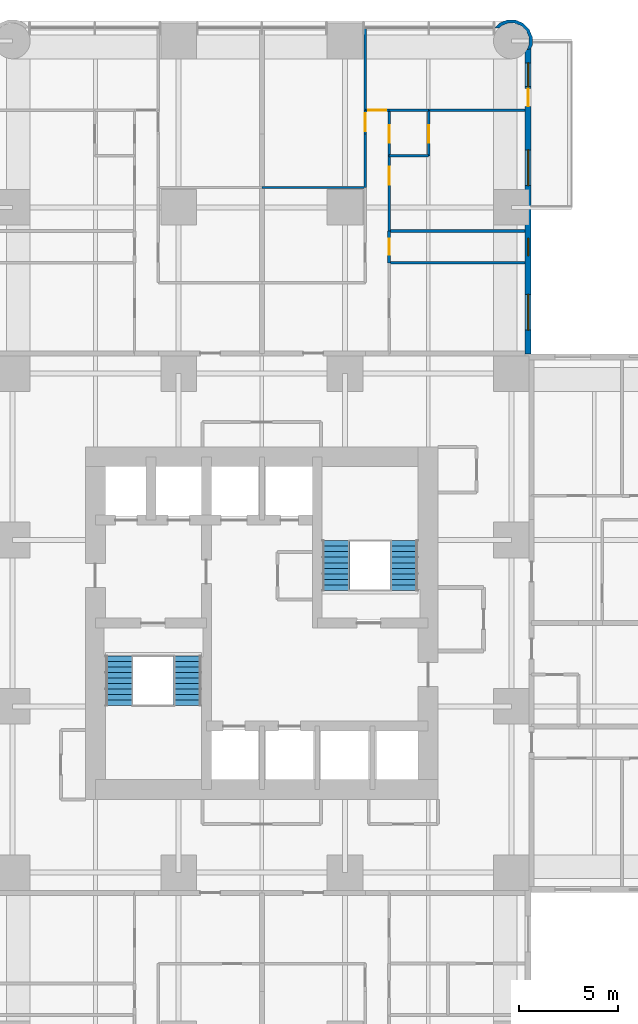
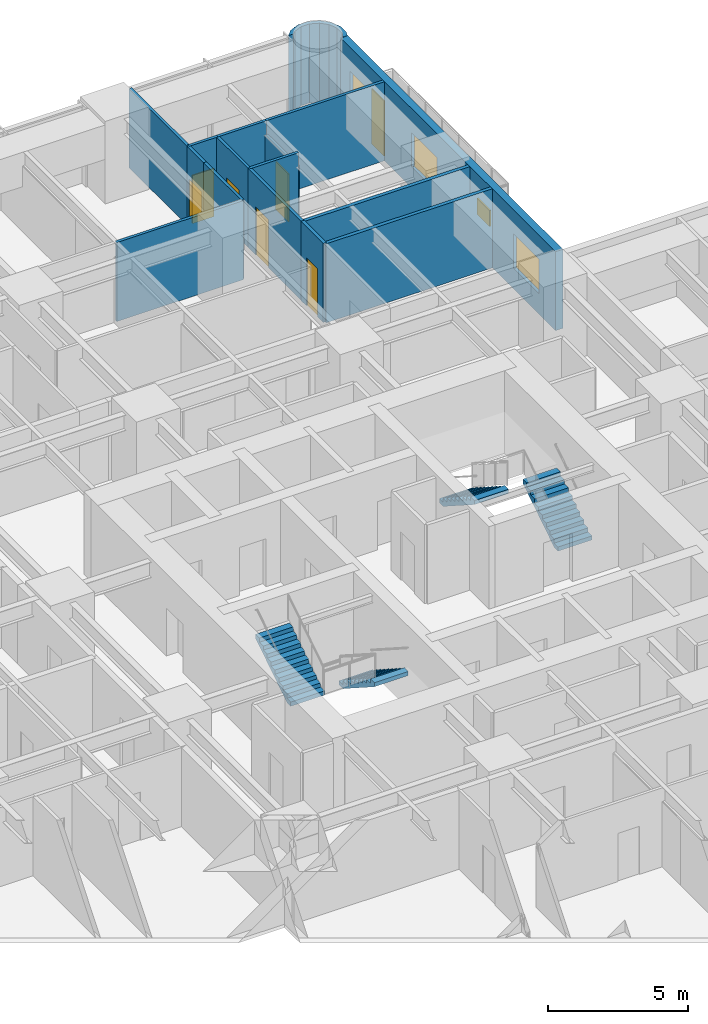
# One storey, part 15 of 17: 16 walls, 7 doors, 4 stair flights, 4 windows, 11 openings, 2 elements without a shape of their own.
"""IFC4 building model written with IfcOpenShell, lengths in metres."""

from ifc_helpers import new_model, si_unit, direction, frame, frame_2d, origin, place, context, subcontext, project, spatial, polyline, rectangle, outline, extrude, material, layer, layer_set, type_object, element, fill, aggregate, save


model = new_model("IFC4")

# Units and contexts
model_context = context("Model", 3, precision=1e-05, world=origin(), true_north=direction((0.0, 1.0)))
body_context = subcontext(model_context, "Body", "Model", "MODEL_VIEW")
ifc_project = project(units=[si_unit("LENGTHUNIT", "METRE"), si_unit("AREAUNIT", "SQUARE_METRE"), si_unit("VOLUMEUNIT", "CUBIC_METRE"), si_unit("PLANEANGLEUNIT", "RADIAN"), si_unit("MASSUNIT", "GRAM", prefix="KILO")], contexts=[model_context])

# Site, building, storey
site_placement = place(None, origin())
site = spatial("IfcSite", under=ifc_project, at=site_placement, CompositionType="ELEMENT")
building_placement = place(site_placement, origin())
building = spatial("IfcBuilding", under=site, at=building_placement, Name="Torre Alcanfor", CompositionType="ELEMENT")
storey_placement = place(building_placement, frame((0.0, 0.0, 59.699951171875)))
storey = spatial("IfcBuildingStorey", under=building, at=storey_placement, Name="L14", CompositionType="ELEMENT", Elevation=59.699951171875)

# Walls
ifc_material_1 = material(Name="Gypsum board on steel studs", Category="steel")
ifc_layer_1 = layer(ifc_material_1, 0.1201171875)
ifc_layer_set_1 = layer_set([ifc_layer_1], Name="Apartment partition 120")
wall_type_1 = type_object("IfcWallType", Name="Apartment partition 120", PredefinedType="PARTITIONING", material=ifc_layer_set_1)
wall_1_placement = place(storey_placement, frame((29.39990234375, 51.39990234375, 0.0), z_axis=(0.0, 0.0, 1.0), x_axis=(1.0, 0.0, 0.0)))
element("IfcWall", 1, at=wall_1_placement, inside=storey, type_object=wall_type_1, Name="Partition L14-N2-FAMILY / L14-N2-KITCHEN", PredefinedType="PARTITIONING", context=body_context, shape_type="SweptSolid", body=[
    extrude(rectangle(XDim=5.22900390625, YDim=0.1201171875, at=frame_2d((2.614501953125, 0.0))), origin(), (0.0, 0.0, 1.0), 3.449951171875),
])
wall_2_placement = place(storey_placement, frame((34.62890625, 54.10009765625, 0.0), z_axis=(0.0, 0.0, 1.0), x_axis=(0.0, -1.0, 0.0)))
element("IfcWall", 2, at=wall_2_placement, inside=storey, type_object=wall_type_1, Name="Partition L14-N2-KITCHEN / L14-N2-HALL", PredefinedType="PARTITIONING", context=body_context, shape_type="SweptSolid", body=[
    extrude(rectangle(XDim=2.7001953125, YDim=0.1201171875, at=frame_2d((1.35009765625, 0.0))), origin(), (0.0, 0.0, 1.0), 3.449951171875),
])

# Wall, opening, door
wall_3_placement = place(storey_placement, frame((34.62890625, 55.300048828125, 0.0), z_axis=(0.0, 0.0, 1.0), x_axis=(0.0, -1.0, 0.0)))
wall_3 = element("IfcWall", 3, at=wall_3_placement, inside=storey, type_object=wall_type_1, Name="Partition L14-N2-LIVING / L14-N2-HALL", PredefinedType="PARTITIONING", context=body_context, shape_type="SweptSolid", body=[
    extrude(rectangle(XDim=1.199951171875, YDim=0.1201171875, at=frame_2d((0.60009765625, 0.0))), origin(), (0.0, 0.0, 1.0), 3.449951171875),
])
opening_1_placement = place(wall_3_placement, frame((0.14990234375, 0.0, 0.0)))
opening_1 = element("IfcOpeningElement", 4, at=opening_1_placement, cuts=wall_3, Name="Opening D-R1", PredefinedType="OPENING", context=body_context, shape_type="SweptSolid", body=[
    extrude(rectangle(XDim=0.89990234375, YDim=2.10009765625, at=frame_2d((0.449951171875, 1.050048828125))), frame((0.0, 0.070068359375, 0.0), z_axis=(0.0, -1.0, 0.0), x_axis=(1.0, 0.0, 0.0)), (0.0, 0.0, 1.0), 0.14013671875),
])
ifc_material_2 = material(Name="Timber", Category="wood")
door_type_1 = type_object("IfcDoorType", Name="Internal door 900x2100", OperationType="SINGLE_SWING_LEFT", PredefinedType="DOOR", material=ifc_material_2)
door_1_placement = place(opening_1_placement, frame((0.89990234375, 0.0, 0.0), z_axis=(0.0, 0.0, 1.0), x_axis=(-1.0, 0.0, 0.0)))
door_1 = element("IfcDoor", 5, at=door_1_placement, inside=storey, type_object=door_type_1, Name="Door L14-N2 living", OperationType="SINGLE_SWING_LEFT", OverallHeight=2.10009765625, OverallWidth=0.89990234375, PredefinedType="DOOR", context=body_context, shape_type="SweptSolid", body=[
    extrude(rectangle(XDim=0.89990234375, YDim=2.10009765625, at=frame_2d((0.449951171875, 1.050048828125))), frame((0.0, 0.025146484375, 0.0), z_axis=(0.0, -1.0, 0.0), x_axis=(1.0, 0.0, 0.0)), (0.0, 0.0, 1.0), 0.050048828125),
])
fill(opening_1, door_1)

# Wall
wall_4_placement = place(storey_placement, frame((34.62890625, 59.449951171875, 0.0), z_axis=(0.0, 0.0, 1.0), x_axis=(0.0, -1.0, 0.0)))
element("IfcWall", 6, at=wall_4_placement, inside=storey, type_object=wall_type_1, Name="Partition L14-N2-LIVING / L14-N2-WGARD", PredefinedType="PARTITIONING", context=body_context, shape_type="SweptSolid", body=[
    extrude(rectangle(XDim=4.14990234375, YDim=0.1201171875, at=frame_2d((2.074951171875, 0.0))), origin(), (0.0, 0.0, 1.0), 3.449951171875),
])

# Wall, opening, door
wall_5_placement = place(storey_placement, frame((35.8291015625, 53.0, 0.0), z_axis=(0.0, 0.0, 1.0), x_axis=(0.0, -1.0, 0.0)))
wall_5 = element("IfcWall", 7, at=wall_5_placement, inside=storey, type_object=wall_type_1, Name="Partition L14-N2-HALL / L14-N2-MASTER", PredefinedType="PARTITIONING", context=body_context, shape_type="SweptSolid", body=[
    extrude(rectangle(XDim=3.800048828125, YDim=0.1201171875, at=frame_2d((1.89990234375, 0.0))), origin(), (0.0, 0.0, 1.0), 3.449951171875),
])
opening_2_placement = place(wall_5_placement, frame((0.550048828125, 0.0, 0.0)))
opening_2 = element("IfcOpeningElement", 8, at=opening_2_placement, cuts=wall_5, Name="Opening D-R1", PredefinedType="OPENING", context=body_context, shape_type="SweptSolid", body=[
    extrude(rectangle(XDim=0.89990234375, YDim=2.10009765625, at=frame_2d((0.449951171875, 1.050048828125))), frame((0.0, 0.070068359375, 0.0), z_axis=(0.0, -1.0, 0.0), x_axis=(1.0, 0.0, 0.0)), (0.0, 0.0, 1.0), 0.14013671875),
])
door_2_placement = place(opening_2_placement, origin())
door_2 = element("IfcDoor", 9, at=door_2_placement, inside=storey, type_object=door_type_1, Name="Door L14-N2 master", OperationType="SINGLE_SWING_LEFT", OverallHeight=2.10009765625, OverallWidth=0.89990234375, PredefinedType="DOOR", context=body_context, shape_type="SweptSolid", body=[
    extrude(rectangle(XDim=0.89990234375, YDim=2.10009765625, at=frame_2d((0.449951171875, 1.050048828125))), frame((0.0, 0.02490234375, 0.0), z_axis=(0.0, -1.0, 0.0), x_axis=(1.0, 0.0, 0.0)), (0.0, 0.0, 1.0), 0.050048828125),
])
fill(opening_2, door_2)

wall_6_placement = place(storey_placement, frame((35.8291015625, 55.300048828125, 0.0), z_axis=(0.0, 0.0, 1.0), x_axis=(0.0, -1.0, 0.0)))
wall_6 = element("IfcWall", 10, at=wall_6_placement, inside=storey, type_object=wall_type_1, Name="Partition L14-N2-HALL / L14-N2-VEST", PredefinedType="PARTITIONING", context=body_context, shape_type="SweptSolid", body=[
    extrude(rectangle(XDim=2.300048828125, YDim=0.1201171875, at=frame_2d((1.14990234375, 0.0))), origin(), (0.0, 0.0, 1.0), 3.449951171875),
])
opening_3_placement = place(wall_6_placement, frame((0.75, 0.0, 0.0)))
opening_3 = element("IfcOpeningElement", 11, at=opening_3_placement, cuts=wall_6, Name="Opening D-R1", PredefinedType="OPENING", context=body_context, shape_type="SweptSolid", body=[
    extrude(rectangle(XDim=0.89990234375, YDim=2.10009765625, at=frame_2d((0.449951171875, 1.050048828125))), frame((0.0, 0.070068359375, 0.0), z_axis=(0.0, -1.0, 0.0), x_axis=(1.0, 0.0, 0.0)), (0.0, 0.0, 1.0), 0.14013671875),
])
door_3_placement = place(opening_3_placement, origin())
door_3 = element("IfcDoor", 12, at=door_3_placement, inside=storey, type_object=door_type_1, Name="Door L14-N2 vest", OperationType="SINGLE_SWING_RIGHT", OverallHeight=2.10009765625, OverallWidth=0.89990234375, PredefinedType="DOOR", context=body_context, shape_type="SweptSolid", body=[
    extrude(rectangle(XDim=0.89990234375, YDim=2.10009765625, at=frame_2d((0.449951171875, 1.050048828125))), frame((0.0, 0.02490234375, 0.0), z_axis=(0.0, -1.0, 0.0), x_axis=(1.0, 0.0, 0.0)), (0.0, 0.0, 1.0), 0.050048828125),
])
fill(opening_3, door_3)

wall_7_placement = place(storey_placement, frame((34.62890625, 55.300048828125, 0.0), z_axis=(0.0, 0.0, 1.0), x_axis=(1.0, 0.0, 0.0)))
wall_7 = element("IfcWall", 13, at=wall_7_placement, inside=storey, type_object=wall_type_1, Name="Partition L14-N2-HALL / L14-N2-WGARD", PredefinedType="PARTITIONING", context=body_context, shape_type="SweptSolid", body=[
    extrude(rectangle(XDim=1.2001953125, YDim=0.1201171875, at=frame_2d((0.60009765625, 0.0))), origin(), (0.0, 0.0, 1.0), 3.449951171875),
])
opening_4_placement = place(wall_7_placement, frame((0.15087890625, 0.0, 0.0)))
opening_4 = element("IfcOpeningElement", 14, at=opening_4_placement, cuts=wall_7, Name="Opening D-R1", PredefinedType="OPENING", context=body_context, shape_type="SweptSolid", body=[
    extrude(rectangle(XDim=0.89990234375, YDim=2.10009765625, at=frame_2d((0.449951171875, 1.050048828125))), frame((0.0, 0.070068359375, 0.0), z_axis=(0.0, -1.0, 0.0), x_axis=(1.0, 0.0, 0.0)), (0.0, 0.0, 1.0), 0.14013671875),
])
door_4_placement = place(opening_4_placement, origin())
door_4 = element("IfcDoor", 15, at=door_4_placement, inside=storey, type_object=door_type_1, Name="Door L14-N2 wgard", OperationType="SINGLE_SWING_LEFT", OverallHeight=2.10009765625, OverallWidth=0.89990234375, PredefinedType="DOOR", context=body_context, shape_type="SweptSolid", body=[
    extrude(rectangle(XDim=0.89990234375, YDim=2.10009765625, at=frame_2d((0.449951171875, 1.050048828125))), frame((0.0, 0.02490234375, 0.0), z_axis=(0.0, -1.0, 0.0), x_axis=(1.0, 0.0, 0.0)), (0.0, 0.0, 1.0), 0.050048828125),
])
fill(opening_4, door_4)

# Wall
wall_8_placement = place(storey_placement, frame((35.8291015625, 53.0, 0.0), z_axis=(0.0, 0.0, 1.0), x_axis=(1.0, 0.0, 0.0)))
element("IfcWall", 16, at=wall_8_placement, inside=storey, type_object=wall_type_1, Name="Partition L14-N2-MASTER / L14-N2-VEST", PredefinedType="PARTITIONING", context=body_context, shape_type="SweptSolid", body=[
    extrude(rectangle(XDim=2.0, YDim=0.1201171875, at=frame_2d((1.0, 0.0))), origin(), (0.0, 0.0, 1.0), 3.449951171875),
])

# Wall, opening, door
wall_9_placement = place(storey_placement, frame((37.8291015625, 53.0, 0.0), z_axis=(0.0, 0.0, 1.0), x_axis=(0.0, 1.0, 0.0)))
wall_9 = element("IfcWall", 17, at=wall_9_placement, inside=storey, type_object=wall_type_1, Name="Partition L14-N2-MASTER / L14-N2-VEST", PredefinedType="PARTITIONING", context=body_context, shape_type="SweptSolid", body=[
    extrude(rectangle(XDim=2.300048828125, YDim=0.1201171875, at=frame_2d((1.14990234375, 0.0))), origin(), (0.0, 0.0, 1.0), 2.84814453125),
])
opening_5_placement = place(wall_9_placement, frame((0.64990234375, 0.0, 0.0)))
opening_5 = element("IfcOpeningElement", 18, at=opening_5_placement, cuts=wall_9, Name="Opening D-R1", PredefinedType="OPENING", context=body_context, shape_type="SweptSolid", body=[
    extrude(rectangle(XDim=0.89990234375, YDim=2.10009765625, at=frame_2d((0.449951171875, 1.050048828125))), frame((0.0, 0.070068359375, 0.0), z_axis=(0.0, -1.0, 0.0), x_axis=(1.0, 0.0, 0.0)), (0.0, 0.0, 1.0), 0.14013671875),
])
door_5_placement = place(opening_5_placement, origin())
door_5 = element("IfcDoor", 19, at=door_5_placement, inside=storey, type_object=door_type_1, Name="Door L14-N2 master", OperationType="SINGLE_SWING_LEFT", OverallHeight=2.10009765625, OverallWidth=0.89990234375, PredefinedType="DOOR", context=body_context, shape_type="SweptSolid", body=[
    extrude(rectangle(XDim=0.89990234375, YDim=2.10009765625, at=frame_2d((0.449951171875, 1.050048828125))), frame((0.0, 0.02490234375, 0.0), z_axis=(0.0, -1.0, 0.0), x_axis=(1.0, 0.0, 0.0)), (0.0, 0.0, 1.0), 0.050048828125),
])
fill(opening_5, door_5)

# Walls
wall_10_placement = place(storey_placement, frame((37.8291015625, 55.300048828125, 0.0), z_axis=(0.0, 0.0, 1.0), x_axis=(1.0, 0.0, 0.0)))
element("IfcWall", 20, at=wall_10_placement, inside=storey, type_object=wall_type_1, Name="Partition L14-N2-MASTER / L14-N2-WGARD", PredefinedType="PARTITIONING", context=body_context, shape_type="SweptSolid", body=[
    extrude(rectangle(XDim=4.870849609375, YDim=0.1201171875, at=frame_2d((2.435546875, 0.0))), origin(), (0.0, 0.0, 1.0), 3.449951171875),
])
wall_11_placement = place(storey_placement, frame((35.8291015625, 55.300048828125, 0.0), z_axis=(0.0, 0.0, 1.0), x_axis=(1.0, 0.0, 0.0)))
element("IfcWall", 21, at=wall_11_placement, inside=storey, type_object=wall_type_1, Name="Partition L14-N2-VEST / L14-N2-WGARD", PredefinedType="PARTITIONING", context=body_context, shape_type="SweptSolid", body=[
    extrude(rectangle(XDim=2.0, YDim=0.1201171875, at=frame_2d((1.0, 0.0))), origin(), (0.0, 0.0, 1.0), 3.449951171875),
])

# Wall, openings, door, windows
ifc_material_3 = material(Name="Limestone cladding", Category="masonry")
ifc_layer_2 = layer(ifc_material_3, 0.0400390625, Name="Facing")
ifc_material_4 = material(Name="Ventilated air cavity")
ifc_layer_3 = layer(ifc_material_4, 0.02001953125, ventilated=True, Name="Ventilated joint")
ifc_material_5 = material(Name="Mineral wool insulation", Category="insulation")
ifc_layer_4 = layer(ifc_material_5, 0.10009765625, Name="Insulation")
ifc_material_6 = material(Name="Concrete f'c 35 MPa", Category="concrete")
ifc_layer_5 = layer(ifc_material_6, 0.139892578125, Name="Backing")
ifc_layer_set_2 = layer_set([ifc_layer_2, ifc_layer_3, ifc_layer_4, ifc_layer_5], Name="External wall stone-clad 300")
wall_type_2 = type_object("IfcWallType", Name="External wall stone-clad 300", PredefinedType="SOLIDWALL", material=ifc_layer_set_2)
wall_12_placement = place(storey_placement, frame((42.85009765625, 43.0, 0.0), z_axis=(0.0, 0.0, 1.0), x_axis=(0.0, 1.0, 0.0)))
wall_12 = element("IfcWall", 22, at=wall_12_placement, inside=storey, type_object=wall_type_2, Name="External wall L14 10", PredefinedType="SOLIDWALL", context=body_context, shape_type="SweptSolid", body=[
    extrude(rectangle(XDim=15.39990234375, YDim=0.300048828125, at=frame_2d((7.699951171875, 0.0))), origin(), (0.0, 0.0, 1.0), 3.449951171875),
])
opening_6_placement = place(wall_12_placement, frame((1.199951171875, 0.0, 0.89990234375)))
opening_6 = element("IfcOpeningElement", 23, at=opening_6_placement, cuts=wall_12, Name="Opening W2", PredefinedType="OPENING", context=body_context, shape_type="SweptSolid", body=[
    extrude(rectangle(XDim=1.800048828125, YDim=1.5, at=frame_2d((0.89990234375, 0.75))), frame((0.0, 0.159912109375, 0.0), z_axis=(0.0, -1.0, 0.0), x_axis=(1.0, 0.0, 0.0)), (0.0, 0.0, 1.0), 0.320068359375),
])
opening_7_placement = place(wall_12_placement, frame((4.949951171875, 0.0, 1.5)))
opening_7 = element("IfcOpeningElement", 24, at=opening_7_placement, cuts=wall_12, Name="Opening W3", PredefinedType="OPENING", context=body_context, shape_type="SweptSolid", body=[
    extrude(rectangle(XDim=0.89990234375, YDim=0.699951171875, at=frame_2d((0.449951171875, 0.35009765625))), frame((0.0, 0.159912109375, 0.0), z_axis=(0.0, -1.0, 0.0), x_axis=(1.0, 0.0, 0.0)), (0.0, 0.0, 1.0), 0.320068359375),
])
opening_8_placement = place(wall_12_placement, frame((8.5, 0.0, 0.89990234375)))
opening_8 = element("IfcOpeningElement", 25, at=opening_8_placement, cuts=wall_12, Name="Opening W2", PredefinedType="OPENING", context=body_context, shape_type="SweptSolid", body=[
    extrude(rectangle(XDim=1.800048828125, YDim=1.5, at=frame_2d((0.89990234375, 0.75))), frame((0.0, 0.159912109375, 0.0), z_axis=(0.0, -1.0, 0.0), x_axis=(1.0, 0.0, 0.0)), (0.0, 0.0, 1.0), 0.320068359375),
])
opening_9_placement = place(wall_12_placement, frame((12.5, 0.0, 0.0)))
opening_9 = element("IfcOpeningElement", 26, at=opening_9_placement, cuts=wall_12, Name="Opening D-B1", PredefinedType="OPENING", context=body_context, shape_type="SweptSolid", body=[
    extrude(rectangle(XDim=0.89990234375, YDim=2.39990234375, at=frame_2d((0.449951171875, 1.199951171875))), frame((0.0, 0.159912109375, 0.0), z_axis=(0.0, -1.0, 0.0), x_axis=(1.0, 0.0, 0.0)), (0.0, 0.0, 1.0), 0.320068359375),
])
opening_10_placement = place(wall_12_placement, frame((13.5, 0.0, 0.89990234375)))
opening_10 = element("IfcOpeningElement", 27, at=opening_10_placement, cuts=wall_12, Name="Opening W4", PredefinedType="OPENING", context=body_context, shape_type="SweptSolid", body=[
    extrude(rectangle(XDim=1.199951171875, YDim=1.5, at=frame_2d((0.60009765625, 0.75))), frame((0.0, 0.159912109375, 0.0), z_axis=(0.0, -1.0, 0.0), x_axis=(1.0, 0.0, 0.0)), (0.0, 0.0, 1.0), 0.320068359375),
])
ifc_material_7 = material(Name="Aluminium and glass", Category="aluminium")
door_type_2 = type_object("IfcDoorType", Name="Balcony door glazed 900x2400", OperationType="SINGLE_SWING_LEFT", PredefinedType="DOOR", material=ifc_material_7)
door_6_placement = place(opening_9_placement, origin())
door_6 = element("IfcDoor", 28, at=door_6_placement, inside=storey, type_object=door_type_2, Name="Balcony door L14-N2", OperationType="SINGLE_SWING_LEFT", OverallHeight=2.39990234375, OverallWidth=0.89990234375, PredefinedType="DOOR", context=body_context, shape_type="SweptSolid", body=[
    extrude(rectangle(XDim=0.89990234375, YDim=2.39990234375, at=frame_2d((0.449951171875, 1.199951171875))), frame((0.0, 0.02490234375, 0.0), z_axis=(0.0, -1.0, 0.0), x_axis=(1.0, 0.0, 0.0)), (0.0, 0.0, 1.0), 0.050048828125),
])
fill(opening_9, door_6)
ifc_material_8 = material(Name="Aluminium frame with clear double glazing", Category="aluminium")
window_type_1 = type_object("IfcWindowType", Name="Window bathroom 900x700", PartitioningType="SINGLE_PANEL", PredefinedType="WINDOW", material=ifc_material_8)
window_1_placement = place(opening_7_placement, origin())
window_1 = element("IfcWindow", 29, at=window_1_placement, inside=storey, type_object=window_type_1, Name="Window W3 L14-N2", OverallHeight=0.699951171875, OverallWidth=0.89990234375, PartitioningType="SINGLE_PANEL", PredefinedType="WINDOW", context=body_context, shape_type="SweptSolid", body=[
    extrude(rectangle(XDim=0.89990234375, YDim=0.699951171875, at=frame_2d((0.449951171875, 0.35009765625))), frame((0.0, 0.030029296875, 0.0), z_axis=(0.0, -1.0, 0.0), x_axis=(1.0, 0.0, 0.0)), (0.0, 0.0, 1.0), 0.06005859375),
])
fill(opening_7, window_1)
ifc_material_9 = material(Name="Aluminium frame with clear double glazing", Category="aluminium")
window_type_2 = type_object("IfcWindowType", Name="Window bedroom 1200x1500", PartitioningType="SINGLE_PANEL", PredefinedType="WINDOW", material=ifc_material_9)
window_2_placement = place(opening_10_placement, origin())
window_2 = element("IfcWindow", 30, at=window_2_placement, inside=storey, type_object=window_type_2, Name="Window W4 L14-N2", OverallHeight=1.5, OverallWidth=1.199951171875, PartitioningType="SINGLE_PANEL", PredefinedType="WINDOW", context=body_context, shape_type="SweptSolid", body=[
    extrude(rectangle(XDim=1.199951171875, YDim=1.5, at=frame_2d((0.60009765625, 0.75))), frame((0.0, 0.030029296875, 0.0), z_axis=(0.0, -1.0, 0.0), x_axis=(1.0, 0.0, 0.0)), (0.0, 0.0, 1.0), 0.06005859375),
])
fill(opening_10, window_2)
ifc_material_10 = material(Name="Aluminium frame with clear double glazing", Category="aluminium")
window_type_3 = type_object("IfcWindowType", Name="Window bedroom 1800x1500", PartitioningType="SINGLE_PANEL", PredefinedType="WINDOW", material=ifc_material_10)
window_3_placement = place(opening_6_placement, origin())
window_3 = element("IfcWindow", 31, at=window_3_placement, inside=storey, type_object=window_type_3, Name="Window W2 L14-N2", OverallHeight=1.5, OverallWidth=1.800048828125, PartitioningType="SINGLE_PANEL", PredefinedType="WINDOW", context=body_context, shape_type="SweptSolid", body=[
    extrude(rectangle(XDim=1.800048828125, YDim=1.5, at=frame_2d((0.89990234375, 0.75))), frame((0.0, 0.030029296875, 0.0), z_axis=(0.0, -1.0, 0.0), x_axis=(1.0, 0.0, 0.0)), (0.0, 0.0, 1.0), 0.06005859375),
])
fill(opening_6, window_3)
window_4_placement = place(opening_8_placement, origin())
window_4 = element("IfcWindow", 32, at=window_4_placement, inside=storey, type_object=window_type_3, Name="Window W2 L14-N2", OverallHeight=1.5, OverallWidth=1.800048828125, PartitioningType="SINGLE_PANEL", PredefinedType="WINDOW", context=body_context, shape_type="SweptSolid", body=[
    extrude(rectangle(XDim=1.800048828125, YDim=1.5, at=frame_2d((0.89990234375, 0.75))), frame((0.0, 0.030029296875, 0.0), z_axis=(0.0, -1.0, 0.0), x_axis=(1.0, 0.0, 0.0)), (0.0, 0.0, 1.0), 0.06005859375),
])
fill(opening_8, window_4)

# Wall
ifc_layer_6 = layer(ifc_material_3, 0.0400390625, Name="Facing")
ifc_layer_7 = layer(ifc_material_4, 0.02001953125, ventilated=True, Name="Ventilated joint")
ifc_layer_8 = layer(ifc_material_5, 0.10009765625, Name="Insulation")
ifc_layer_9 = layer(ifc_material_6, 0.139892578125, Name="Backing")
ifc_layer_set_3 = layer_set([ifc_layer_6, ifc_layer_7, ifc_layer_8, ifc_layer_9], Name="Rounded corner pier stone-clad 300")
wall_type_3 = type_object("IfcWallType", Name="Rounded corner pier stone-clad 300", PredefinedType="SOLIDWALL", material=ifc_layer_set_3)
wall_13_placement = place(storey_placement, frame((42.909907157, 58.436037137, 0.0), z_axis=(0.0, 0.0, 1.0), x_axis=(0.377204953059, 0.926129809145, 0.0)))
element("IfcWall", 33, at=wall_13_placement, inside=storey, type_object=wall_type_3, Name="Corner pier L14 19", PredefinedType="SOLIDWALL", context=body_context, shape_type="SweptSolid", body=[
    extrude(outline(polyline([(0.7691852559267269, 1.7275655888693722), (0.7500837815089341, 1.7226854696447296), (0.5995184426781746, 1.8748886632921522), (0.2945936606603473, 2.0035010026328943), (0.2810273060341947, 1.997975539453316), (0.36031770266114094, 1.803298350568026), (0.5085974876189833, 1.7408474269996308), (0.7606365681954048, 1.4857768783201941), (0.8958262339890831, 1.1538534018003268), (0.8937222712355792, 0.7952725095567933), (0.7546148492098406, 0.46498406151765126), (0.499678315387847, 0.21326317790465843), (0.16775483886797962, 0.07807351211098004), (-0.09987659960761772, 0.07952365190173498), (0.0005179574386563676, -0.09706789048462287), (0.030062934124933945, -0.08028941878374739), (0.19840443706273136, -0.08131937838229769), (0.5888893443854909, 0.07772187013655965), (0.888882191412798, 0.3741551975114527), (1.0524222412975957, 0.7628997957685094), (1.0551270334293679, 1.1847291059055145), (0.8961778759635035, 1.5749879073178383), (0.7777318237989179, 1.6949314401857838), (0.7691852559267269, 1.7275655888693722)])), origin(), (0.0, 0.0, 1.0), 3.449951171875),
])

# Wall, opening, door
ifc_material_11 = material(Name="Cement board on steel studs", Category="steel")
ifc_layer_10 = layer(ifc_material_11, 0.14990234375)
ifc_layer_set_4 = layer_set([ifc_layer_10], Name="Wet area partition 150")
wall_type_4 = type_object("IfcWallType", Name="Wet area partition 150", PredefinedType="PARTITIONING", material=ifc_layer_set_4)
wall_14_placement = place(storey_placement, frame((35.8291015625, 49.199951171875, 0.0), z_axis=(0.0, 0.0, 1.0), x_axis=(0.0, -1.0, 0.0)))
wall_14 = element("IfcWall", 34, at=wall_14_placement, inside=storey, type_object=wall_type_4, Name="Partition L14-N2-HALL / L14-N2-BATH1", PredefinedType="PARTITIONING", context=body_context, shape_type="SweptSolid", body=[
    extrude(rectangle(XDim=1.599853515625, YDim=0.14990234375, at=frame_2d((0.7998046875, 0.0))), origin(), (0.0, 0.0, 1.0), 3.449951171875),
])
opening_11_placement = place(wall_14_placement, frame((0.39990234375, 0.0, 0.0)))
opening_11 = element("IfcOpeningElement", 35, at=opening_11_placement, cuts=wall_14, Name="Opening D-R2", PredefinedType="OPENING", context=body_context, shape_type="SweptSolid", body=[
    extrude(rectangle(XDim=0.800048828125, YDim=2.10009765625, at=frame_2d((0.39990234375, 1.050048828125))), frame((0.0, 0.0849609375, 0.0), z_axis=(0.0, -1.0, 0.0), x_axis=(1.0, 0.0, 0.0)), (0.0, 0.0, 1.0), 0.169921875),
])
ifc_material_12 = material(Name="Timber", Category="wood")
door_type_3 = type_object("IfcDoorType", Name="Bathroom door 800x2100", OperationType="SINGLE_SWING_LEFT", PredefinedType="DOOR", material=ifc_material_12)
door_7_placement = place(opening_11_placement, origin())
door_7 = element("IfcDoor", 36, at=door_7_placement, inside=storey, type_object=door_type_3, Name="Door L14-N2 bath1", OperationType="SINGLE_SWING_LEFT", OverallHeight=2.10009765625, OverallWidth=0.800048828125, PredefinedType="DOOR", context=body_context, shape_type="SweptSolid", body=[
    extrude(rectangle(XDim=0.800048828125, YDim=2.10009765625, at=frame_2d((0.39990234375, 1.050048828125))), frame((0.0, 0.02490234375, 0.0), z_axis=(0.0, -1.0, 0.0), x_axis=(1.0, 0.0, 0.0)), (0.0, 0.0, 1.0), 0.050048828125),
])
fill(opening_11, door_7)

# Walls
for number, where, z_axis, x_axis, name in (
    (37, (35.8291015625, 47.60009765625, 0.0), (0.0, 0.0, 1.0), (1.0, 0.0, 0.0), "Partition L14-N2-BED2 / L14-N2-BATH1"),
    (38, (35.8291015625, 49.199951171875, 0.0), (0.0, 0.0, 1.0), (1.0, 0.0, 0.0), "Partition L14-N2-BATH1 / L14-N2-MASTER"),
):
    element("IfcWall", number, at=place(storey_placement, frame(where, z_axis=z_axis, x_axis=x_axis)), inside=storey, type_object=wall_type_4, Name=name, PredefinedType="PARTITIONING", context=body_context, shape_type="SweptSolid", body=[
        extrude(rectangle(XDim=6.870849609375, YDim=0.14990234375, at=frame_2d((3.435546875, 0.0))), origin(), (0.0, 0.0, 1.0), 3.449951171875),
    ])

# Stair, stair flights
ifc_material_13 = material(Name="Concrete f'c 35 MPa", Category="concrete")
stair_type_1 = type_object("IfcStairType", Name="Exit stair S1 1400 wide", PredefinedType="HALF_TURN_STAIR", material=ifc_material_13)
stair_1_placement = place(storey_placement, origin())
stair_1 = element("IfcStair", 39, at=stair_1_placement, inside=storey, type_object=stair_type_1, Name="Stair S1 L14 to L15", PredefinedType="HALF_TURN_STAIR")
ifc_material_14 = material(Name="Concrete f'c 35 MPa", Category="concrete")
stair_flight_type = type_object("IfcStairFlightType", Name="Stair flight 1400", PredefinedType="STRAIGHT", material=ifc_material_14)
stair_flight_1_placement = place(storey_placement, frame((25.64990234375, 27.75, 0.0), z_axis=(0.0, 0.0, 1.0), x_axis=(0.0, -1.0, 0.0)))
stair_flight_1 = element("IfcStairFlight", 40, at=stair_flight_1_placement, type_object=stair_flight_type, Name="S1 flight 1", NumberOfRisers=10, NumberOfTreads=9, PredefinedType="STRAIGHT", RiserHeight=0.18, TreadLength=0.28, context=body_context, shape_type="SweptSolid", body=[
    extrude(outline(polyline([(0.0, 0.0), (0.0, 0.179931640625), (0.280029296875, 0.179931640625), (0.280029296875, 0.360107421875), (0.56005859375, 0.360107421875), (0.56005859375, 0.5400390625), (0.840087890625, 0.5400390625), (0.840087890625, 0.719970703125), (1.1201171875, 0.719970703125), (1.1201171875, 0.89990234375), (1.39990234375, 0.89990234375), (1.39990234375, 1.080078125), (1.679931640625, 1.080078125), (1.679931640625, 1.260009765625), (1.9599609375, 1.260009765625), (1.9599609375, 1.43994140625), (2.239990234375, 1.43994140625), (2.239990234375, 1.6201171875), (2.52001953125, 1.6201171875), (2.52001953125, 1.800048828125), (2.52001953125, 1.44189453125), (0.277099609375, 0.0), (0.0, 0.0)])), frame((0.0, 0.699951171875, 0.0), z_axis=(0.0, -1.0, 0.0), x_axis=(1.0, 0.0, 0.0)), (0.0, 0.0, 1.0), 1.39990234375),
])
stair_flight_2_placement = place(storey_placement, frame((22.199951171875, 25.22998046875, 1.800048828125), z_axis=(0.0, 0.0, 1.0), x_axis=(0.0, 1.0, 0.0)))
stair_flight_2 = element("IfcStairFlight", 41, at=stair_flight_2_placement, type_object=stair_flight_type, Name="S1 flight 2", NumberOfRisers=10, NumberOfTreads=9, PredefinedType="STRAIGHT", RiserHeight=0.18, TreadLength=0.28, context=body_context, shape_type="SweptSolid", body=[
    extrude(outline(polyline([(0.0, 0.0), (0.0, 0.179931640625), (0.280029296875, 0.179931640625), (0.280029296875, 0.360107421875), (0.56005859375, 0.360107421875), (0.56005859375, 0.5400390625), (0.840087890625, 0.5400390625), (0.840087890625, 0.719970703125), (1.1201171875, 0.719970703125), (1.1201171875, 0.89990234375), (1.39990234375, 0.89990234375), (1.39990234375, 1.080078125), (1.679931640625, 1.080078125), (1.679931640625, 1.260009765625), (1.9599609375, 1.260009765625), (1.9599609375, 1.43994140625), (2.239990234375, 1.43994140625), (2.239990234375, 1.6201171875), (2.52001953125, 1.6201171875), (2.52001953125, 1.800048828125), (2.52001953125, 1.44189453125), (0.277099609375, 0.0), (0.0, 0.0)])), frame((0.0, 0.699951171875, 0.0), z_axis=(0.0, -1.0, 0.0), x_axis=(1.0, 0.0, 0.0)), (0.0, 0.0, 1.0), 1.39990234375),
])
aggregate(stair_1, [stair_flight_1, stair_flight_2])

ifc_material_15 = material(Name="Concrete f'c 35 MPa", Category="concrete")
stair_type_2 = type_object("IfcStairType", Name="Exit stair S2 1400 wide", PredefinedType="HALF_TURN_STAIR", material=ifc_material_15)
stair_2_placement = place(storey_placement, origin())
stair_2 = element("IfcStair", 42, at=stair_2_placement, inside=storey, type_object=stair_type_2, Name="Stair S2 L14 to L15", PredefinedType="HALF_TURN_STAIR")
stair_flight_3_placement = place(storey_placement, frame((36.60009765625, 31.050048828125, 0.0), z_axis=(0.0, 0.0, 1.0), x_axis=(0.0, 1.0, 0.0)))
stair_flight_3 = element("IfcStairFlight", 43, at=stair_flight_3_placement, type_object=stair_flight_type, Name="S2 flight 1", NumberOfRisers=10, NumberOfTreads=9, PredefinedType="STRAIGHT", RiserHeight=0.18, TreadLength=0.28, context=body_context, shape_type="SweptSolid", body=[
    extrude(outline(polyline([(0.0, 0.0), (0.0, 0.179931640625), (0.280029296875, 0.179931640625), (0.280029296875, 0.360107421875), (0.56005859375, 0.360107421875), (0.56005859375, 0.5400390625), (0.840087890625, 0.5400390625), (0.840087890625, 0.719970703125), (1.1201171875, 0.719970703125), (1.1201171875, 0.89990234375), (1.39990234375, 0.89990234375), (1.39990234375, 1.080078125), (1.679931640625, 1.080078125), (1.679931640625, 1.260009765625), (1.9599609375, 1.260009765625), (1.9599609375, 1.43994140625), (2.239990234375, 1.43994140625), (2.239990234375, 1.6201171875), (2.52001953125, 1.6201171875), (2.52001953125, 1.800048828125), (2.52001953125, 1.44189453125), (0.277099609375, 0.0), (0.0, 0.0)])), frame((0.0, 0.699951171875, 0.0), z_axis=(0.0, -1.0, 0.0), x_axis=(1.0, 0.0, 0.0)), (0.0, 0.0, 1.0), 1.39990234375),
])
stair_flight_4_placement = place(storey_placement, frame((33.14990234375, 33.570068359375, 1.800048828125), z_axis=(0.0, 0.0, 1.0), x_axis=(0.0, -1.0, 0.0)))
stair_flight_4 = element("IfcStairFlight", 44, at=stair_flight_4_placement, type_object=stair_flight_type, Name="S2 flight 2", NumberOfRisers=10, NumberOfTreads=9, PredefinedType="STRAIGHT", RiserHeight=0.18, TreadLength=0.28, context=body_context, shape_type="SweptSolid", body=[
    extrude(outline(polyline([(0.0, 0.0), (0.0, 0.179931640625), (0.280029296875, 0.179931640625), (0.280029296875, 0.360107421875), (0.56005859375, 0.360107421875), (0.56005859375, 0.5400390625), (0.840087890625, 0.5400390625), (0.840087890625, 0.719970703125), (1.1201171875, 0.719970703125), (1.1201171875, 0.89990234375), (1.39990234375, 0.89990234375), (1.39990234375, 1.080078125), (1.679931640625, 1.080078125), (1.679931640625, 1.260009765625), (1.9599609375, 1.260009765625), (1.9599609375, 1.43994140625), (2.239990234375, 1.43994140625), (2.239990234375, 1.6201171875), (2.52001953125, 1.6201171875), (2.52001953125, 1.800048828125), (2.52001953125, 1.44189453125), (0.277099609375, 0.0), (0.0, 0.0)])), frame((0.0, 0.699951171875, 0.0), z_axis=(0.0, -1.0, 0.0), x_axis=(1.0, 0.0, 0.0)), (0.0, 0.0, 1.0), 1.39990234375),
])
aggregate(stair_2, [stair_flight_3, stair_flight_4])

save(model, "model.ifc")
